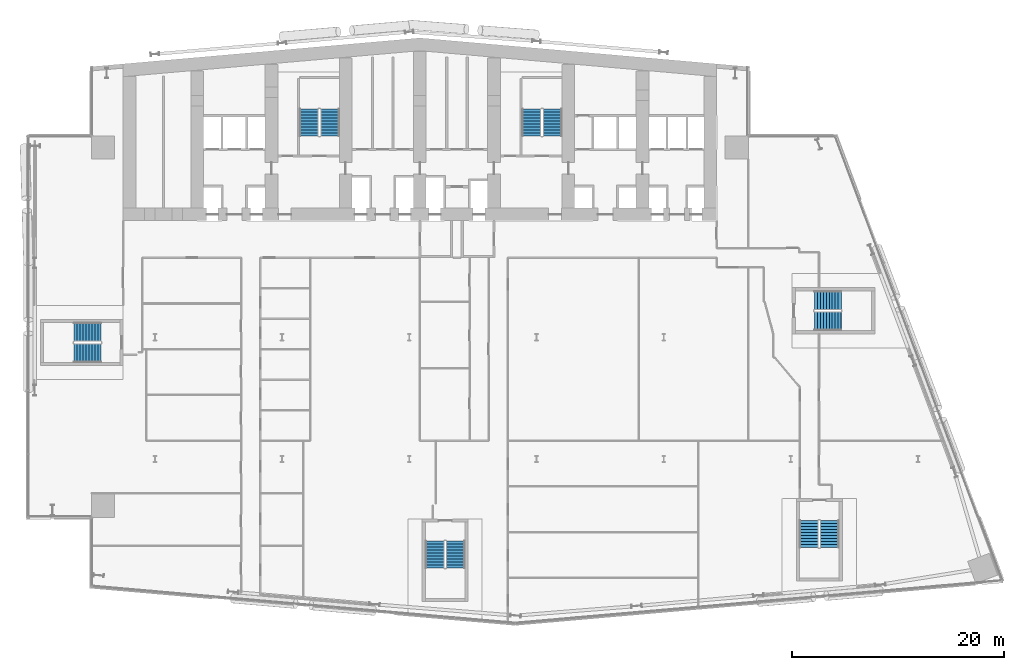
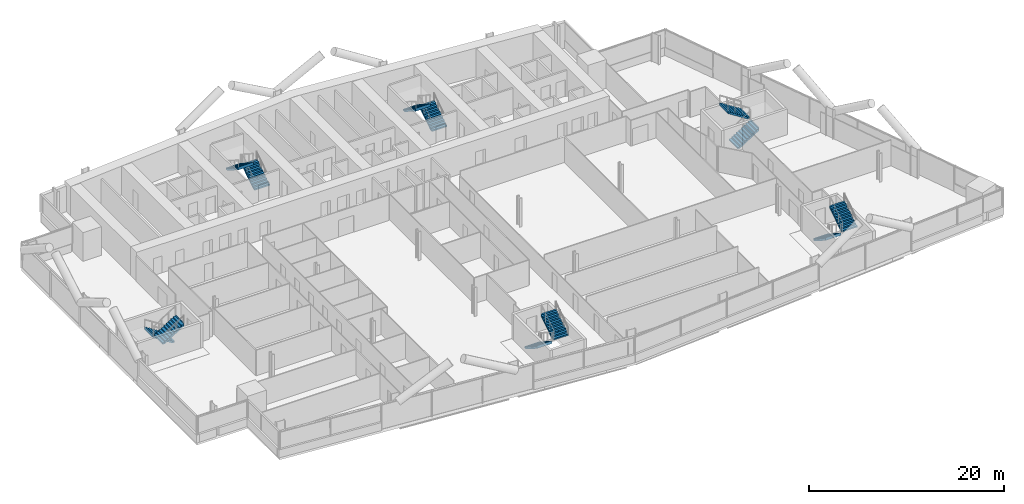
# One storey, part 20 of 27: 12 stair flights, 6 elements without a shape of their own.
"""IFC4 building model written with IfcOpenShell, lengths in metres."""

from ifc_helpers import new_model, si_unit, direction, frame, origin, place, context, subcontext, project, spatial, polyline, outline, extrude, material, type_object, element, aggregate, save


model = new_model("IFC4")

# Units and contexts
model_context = context("Model", 3, precision=1e-05, world=origin(), true_north=direction((0.0, 1.0)))
body_context = subcontext(model_context, "Body", "Model", "MODEL_VIEW")
ifc_project = project(units=[si_unit("LENGTHUNIT", "METRE"), si_unit("AREAUNIT", "SQUARE_METRE"), si_unit("VOLUMEUNIT", "CUBIC_METRE"), si_unit("PLANEANGLEUNIT", "RADIAN"), si_unit("MASSUNIT", "GRAM", prefix="KILO")], contexts=[model_context])

# Site, building, storey
site_placement = place(None, origin())
site = spatial("IfcSite", under=ifc_project, at=site_placement, CompositionType="ELEMENT")
building_placement = place(site_placement, origin())
building = spatial("IfcBuilding", under=site, at=building_placement, Name="Wharfspan Tower", CompositionType="ELEMENT")
storey_placement = place(building_placement, frame((0.0, 0.0, 73.899902)))
storey = spatial("IfcBuildingStorey", under=building, at=storey_placement, Name="L15", CompositionType="ELEMENT", Elevation=73.899902)

# Stair, stair flights
ifc_material = material(Name="Concrete C40/50", Category="concrete")
stair_type = type_object("IfcStairType", Name="Half-turn stair 20 risers 180 mm", PredefinedType="HALF_TURN_STAIR", material=ifc_material)
stair_1_placement = place(storey_placement, origin())
stair_1 = element("IfcStair", 1, at=stair_1_placement, inside=storey, type_object=stair_type, Name="L15 stair ST1", PredefinedType="HALF_TURN_STAIR")
stair_flight_type = type_object("IfcStairFlightType", Name="Stair flight 20 risers 180 mm", PredefinedType="STRAIGHT", material=ifc_material)
stair_flight_1_placement = place(storey_placement, frame((28.5, 42.0, 0.0), z_axis=(0.0, 0.0, 1.0), x_axis=(0.0, 1.0, 0.0)))
stair_flight_1 = element("IfcStairFlight", 2, at=stair_flight_1_placement, type_object=stair_flight_type, Name="ST1 flight 1", NumberOfRisers=10, NumberOfTreads=9, PredefinedType="STRAIGHT", RiserHeight=0.18, TreadLength=0.28, context=body_context, shape_type="SweptSolid", body=[
    extrude(outline(polyline([(-0.011963, 0.0), (-0.011963, 0.179932), (0.0, 0.179932), (0.280029, 0.179932), (0.280029, 0.360107), (0.560059, 0.360107), (0.560059, 0.540039), (0.840088, 0.540039), (0.840088, 0.719971), (1.120117, 0.719971), (1.120117, 0.899902), (1.399902, 0.899902), (1.399902, 1.080078), (1.679932, 1.080078), (1.679932, 1.26001), (1.959961, 1.26001), (1.959961, 1.439941), (2.23999, 1.439941), (2.23999, 1.620117), (2.52002, 1.620117), (2.531982, 1.800049), (2.531982, 1.441895), (0.2771, 0.0), (-0.011963, 0.0)])), frame((0.0, 0.899902, 0.0), z_axis=(0.0, -1.0, 0.0), x_axis=(1.0, 0.0, 0.0)), (0.0, 0.0, 1.0), 0.899414),
    extrude(outline(polyline([(-0.011963, 0.0), (-0.011963, 0.179932), (0.0, 0.179932), (0.280029, 0.179932), (0.280029, 0.360107), (0.560059, 0.360107), (0.560059, 0.540039), (0.840088, 0.540039), (0.840088, 0.719971), (1.120117, 0.719971), (1.120117, 0.899902), (1.399902, 0.899902), (1.399902, 1.080078), (1.679932, 1.080078), (1.679932, 1.26001), (1.959961, 1.26001), (1.959961, 1.439941), (2.23999, 1.439941), (2.23999, 1.620117), (2.52002, 1.620117), (2.531982, 1.800049), (2.531982, 1.441895), (0.2771, 0.0), (-0.011963, 0.0)])), frame((0.0, -0.000488, 0.0), z_axis=(0.0, -1.0, 0.0), x_axis=(1.0, 0.0, 0.0)), (0.0, 0.0, 1.0), 0.899414),
])
stair_flight_2_placement = place(storey_placement, frame((26.550049, 44.52002, 1.800049), z_axis=(0.0, 0.0, 1.0), x_axis=(0.0, -1.0, 0.0)))
stair_flight_2 = element("IfcStairFlight", 3, at=stair_flight_2_placement, type_object=stair_flight_type, Name="ST1 flight 2", NumberOfRisers=10, NumberOfTreads=9, PredefinedType="STRAIGHT", RiserHeight=0.18, TreadLength=0.28, context=body_context, shape_type="SweptSolid", body=[
    extrude(outline(polyline([(-0.011963, 0.0), (-0.011963, 0.179932), (0.0, 0.179932), (0.280029, 0.179932), (0.280029, 0.360107), (0.560059, 0.360107), (0.560059, 0.540039), (0.840088, 0.540039), (0.840088, 0.719971), (1.120117, 0.719971), (1.120117, 0.899902), (1.399902, 0.899902), (1.399902, 1.080078), (1.679932, 1.080078), (1.679932, 1.26001), (1.959961, 1.26001), (1.959961, 1.439941), (2.23999, 1.439941), (2.23999, 1.620117), (2.52002, 1.620117), (2.531982, 1.800049), (2.531982, 1.441895), (0.2771, 0.0), (-0.011963, 0.0)])), frame((0.0, 0.899902, 0.0), z_axis=(0.0, -1.0, 0.0), x_axis=(1.0, 0.0, 0.0)), (0.0, 0.0, 1.0), 0.899414),
    extrude(outline(polyline([(-0.011963, 0.0), (-0.011963, 0.179932), (0.0, 0.179932), (0.280029, 0.179932), (0.280029, 0.360107), (0.560059, 0.360107), (0.560059, 0.540039), (0.840088, 0.540039), (0.840088, 0.719971), (1.120117, 0.719971), (1.120117, 0.899902), (1.399902, 0.899902), (1.399902, 1.080078), (1.679932, 1.080078), (1.679932, 1.26001), (1.959961, 1.26001), (1.959961, 1.439941), (2.23999, 1.439941), (2.23999, 1.620117), (2.52002, 1.620117), (2.531982, 1.800049), (2.531982, 1.441895), (0.2771, 0.0), (-0.011963, 0.0)])), frame((0.0, -0.000488, 0.0), z_axis=(0.0, -1.0, 0.0), x_axis=(1.0, 0.0, 0.0)), (0.0, 0.0, 1.0), 0.899414),
])
aggregate(stair_1, [stair_flight_1, stair_flight_2])

stair_2_placement = place(storey_placement, origin())
stair_2 = element("IfcStair", 4, at=stair_2_placement, inside=storey, type_object=stair_type, Name="L15 stair ST2", PredefinedType="HALF_TURN_STAIR")
stair_flight_3_placement = place(storey_placement, frame((49.5, 42.0, 0.0), z_axis=(0.0, 0.0, 1.0), x_axis=(0.0, 1.0, 0.0)))
stair_flight_3 = element("IfcStairFlight", 5, at=stair_flight_3_placement, type_object=stair_flight_type, Name="ST2 flight 1", NumberOfRisers=10, NumberOfTreads=9, PredefinedType="STRAIGHT", RiserHeight=0.18, TreadLength=0.28, context=body_context, shape_type="SweptSolid", body=[
    extrude(outline(polyline([(-0.011963, 0.0), (-0.011963, 0.179932), (0.0, 0.179932), (0.280029, 0.179932), (0.280029, 0.360107), (0.560059, 0.360107), (0.560059, 0.540039), (0.840088, 0.540039), (0.840088, 0.719971), (1.120117, 0.719971), (1.120117, 0.899902), (1.399902, 0.899902), (1.399902, 1.080078), (1.679932, 1.080078), (1.679932, 1.26001), (1.959961, 1.26001), (1.959961, 1.439941), (2.23999, 1.439941), (2.23999, 1.620117), (2.52002, 1.620117), (2.531982, 1.800049), (2.531982, 1.441895), (0.2771, 0.0), (-0.011963, 0.0)])), frame((0.0, 0.899902, 0.0), z_axis=(0.0, -1.0, 0.0), x_axis=(1.0, 0.0, 0.0)), (0.0, 0.0, 1.0), 0.899414),
    extrude(outline(polyline([(-0.011963, 0.0), (-0.011963, 0.179932), (0.0, 0.179932), (0.280029, 0.179932), (0.280029, 0.360107), (0.560059, 0.360107), (0.560059, 0.540039), (0.840088, 0.540039), (0.840088, 0.719971), (1.120117, 0.719971), (1.120117, 0.899902), (1.399902, 0.899902), (1.399902, 1.080078), (1.679932, 1.080078), (1.679932, 1.26001), (1.959961, 1.26001), (1.959961, 1.439941), (2.23999, 1.439941), (2.23999, 1.620117), (2.52002, 1.620117), (2.531982, 1.800049), (2.531982, 1.441895), (0.2771, 0.0), (-0.011963, 0.0)])), frame((0.0, -0.000488, 0.0), z_axis=(0.0, -1.0, 0.0), x_axis=(1.0, 0.0, 0.0)), (0.0, 0.0, 1.0), 0.899414),
])
stair_flight_4_placement = place(storey_placement, frame((47.550049, 44.52002, 1.800049), z_axis=(0.0, 0.0, 1.0), x_axis=(0.0, -1.0, 0.0)))
stair_flight_4 = element("IfcStairFlight", 6, at=stair_flight_4_placement, type_object=stair_flight_type, Name="ST2 flight 2", NumberOfRisers=10, NumberOfTreads=9, PredefinedType="STRAIGHT", RiserHeight=0.18, TreadLength=0.28, context=body_context, shape_type="SweptSolid", body=[
    extrude(outline(polyline([(-0.011963, 0.0), (-0.011963, 0.179932), (0.0, 0.179932), (0.280029, 0.179932), (0.280029, 0.360107), (0.560059, 0.360107), (0.560059, 0.540039), (0.840088, 0.540039), (0.840088, 0.719971), (1.120117, 0.719971), (1.120117, 0.899902), (1.399902, 0.899902), (1.399902, 1.080078), (1.679932, 1.080078), (1.679932, 1.26001), (1.959961, 1.26001), (1.959961, 1.439941), (2.23999, 1.439941), (2.23999, 1.620117), (2.52002, 1.620117), (2.531982, 1.800049), (2.531982, 1.441895), (0.2771, 0.0), (-0.011963, 0.0)])), frame((0.0, 0.899902, 0.0), z_axis=(0.0, -1.0, 0.0), x_axis=(1.0, 0.0, 0.0)), (0.0, 0.0, 1.0), 0.899414),
    extrude(outline(polyline([(-0.011963, 0.0), (-0.011963, 0.179932), (0.0, 0.179932), (0.280029, 0.179932), (0.280029, 0.360107), (0.560059, 0.360107), (0.560059, 0.540039), (0.840088, 0.540039), (0.840088, 0.719971), (1.120117, 0.719971), (1.120117, 0.899902), (1.399902, 0.899902), (1.399902, 1.080078), (1.679932, 1.080078), (1.679932, 1.26001), (1.959961, 1.26001), (1.959961, 1.439941), (2.23999, 1.439941), (2.23999, 1.620117), (2.52002, 1.620117), (2.531982, 1.800049), (2.531982, 1.441895), (0.2771, 0.0), (-0.011963, 0.0)])), frame((0.0, -0.000488, 0.0), z_axis=(0.0, -1.0, 0.0), x_axis=(1.0, 0.0, 0.0)), (0.0, 0.0, 1.0), 0.899414),
])
aggregate(stair_2, [stair_flight_3, stair_flight_4])

stair_3_placement = place(storey_placement, origin())
stair_3 = element("IfcStair", 7, at=stair_3_placement, inside=storey, type_object=stair_type, Name="L15 stair ST3", PredefinedType="HALF_TURN_STAIR")
stair_flight_5_placement = place(storey_placement, frame((6.899902, 23.475098, 0.0), z_axis=(0.0, 0.0, 1.0), x_axis=(-1.0, 0.0, 0.0)))
stair_flight_5 = element("IfcStairFlight", 8, at=stair_flight_5_placement, type_object=stair_flight_type, Name="ST3 flight 1", NumberOfRisers=10, NumberOfTreads=9, PredefinedType="STRAIGHT", RiserHeight=0.18, TreadLength=0.28, context=body_context, shape_type="SweptSolid", body=[
    extrude(outline(polyline([(-0.011963, 0.0), (-0.011963, 0.179932), (0.0, 0.179932), (0.280029, 0.179932), (0.280029, 0.360107), (0.560059, 0.360107), (0.560059, 0.540039), (0.840088, 0.540039), (0.840088, 0.719971), (1.120117, 0.719971), (1.120117, 0.899902), (1.399902, 0.899902), (1.399902, 1.080078), (1.679932, 1.080078), (1.679932, 1.26001), (1.959961, 1.26001), (1.959961, 1.439941), (2.23999, 1.439941), (2.23999, 1.620117), (2.52002, 1.620117), (2.531982, 1.800049), (2.531982, 1.441895), (0.2771, 0.0), (-0.011963, 0.0)])), frame((0.0, 0.899902, 0.0), z_axis=(0.0, -1.0, 0.0), x_axis=(1.0, 0.0, 0.0)), (0.0, 0.0, 1.0), 0.899414),
    extrude(outline(polyline([(-0.011963, 0.0), (-0.011963, 0.179932), (0.0, 0.179932), (0.280029, 0.179932), (0.280029, 0.360107), (0.560059, 0.360107), (0.560059, 0.540039), (0.840088, 0.540039), (0.840088, 0.719971), (1.120117, 0.719971), (1.120117, 0.899902), (1.399902, 0.899902), (1.399902, 1.080078), (1.679932, 1.080078), (1.679932, 1.26001), (1.959961, 1.26001), (1.959961, 1.439941), (2.23999, 1.439941), (2.23999, 1.620117), (2.52002, 1.620117), (2.531982, 1.800049), (2.531982, 1.441895), (0.2771, 0.0), (-0.011963, 0.0)])), frame((0.0, -0.000488, 0.0), z_axis=(0.0, -1.0, 0.0), x_axis=(1.0, 0.0, 0.0)), (0.0, 0.0, 1.0), 0.899414),
])
stair_flight_6_placement = place(storey_placement, frame((4.379883, 21.524902, 1.800049), z_axis=(0.0, 0.0, 1.0), x_axis=(1.0, 0.0, 0.0)))
stair_flight_6 = element("IfcStairFlight", 9, at=stair_flight_6_placement, type_object=stair_flight_type, Name="ST3 flight 2", NumberOfRisers=10, NumberOfTreads=9, PredefinedType="STRAIGHT", RiserHeight=0.18, TreadLength=0.28, context=body_context, shape_type="SweptSolid", body=[
    extrude(outline(polyline([(-0.011963, 0.0), (-0.011963, 0.179932), (0.0, 0.179932), (0.280029, 0.179932), (0.280029, 0.360107), (0.560059, 0.360107), (0.560059, 0.540039), (0.840088, 0.540039), (0.840088, 0.719971), (1.120117, 0.719971), (1.120117, 0.899902), (1.399902, 0.899902), (1.399902, 1.080078), (1.679932, 1.080078), (1.679932, 1.26001), (1.959961, 1.26001), (1.959961, 1.439941), (2.23999, 1.439941), (2.23999, 1.620117), (2.52002, 1.620117), (2.531982, 1.800049), (2.531982, 1.441895), (0.2771, 0.0), (-0.011963, 0.0)])), frame((0.0, 0.899902, 0.0), z_axis=(0.0, -1.0, 0.0), x_axis=(1.0, 0.0, 0.0)), (0.0, 0.0, 1.0), 0.899414),
    extrude(outline(polyline([(-0.011963, 0.0), (-0.011963, 0.179932), (0.0, 0.179932), (0.280029, 0.179932), (0.280029, 0.360107), (0.560059, 0.360107), (0.560059, 0.540039), (0.840088, 0.540039), (0.840088, 0.719971), (1.120117, 0.719971), (1.120117, 0.899902), (1.399902, 0.899902), (1.399902, 1.080078), (1.679932, 1.080078), (1.679932, 1.26001), (1.959961, 1.26001), (1.959961, 1.439941), (2.23999, 1.439941), (2.23999, 1.620117), (2.52002, 1.620117), (2.531982, 1.800049), (2.531982, 1.441895), (0.2771, 0.0), (-0.011963, 0.0)])), frame((0.0, -0.000488, 0.0), z_axis=(0.0, -1.0, 0.0), x_axis=(1.0, 0.0, 0.0)), (0.0, 0.0, 1.0), 0.899414),
])
aggregate(stair_3, [stair_flight_5, stair_flight_6])

stair_4_placement = place(storey_placement, origin())
stair_4 = element("IfcStair", 10, at=stair_4_placement, inside=storey, type_object=stair_type, Name="L15 stair ST4", PredefinedType="HALF_TURN_STAIR")
stair_flight_7_placement = place(storey_placement, frame((38.408203, 3.760498, 0.0), z_axis=(0.0, 0.0, 1.0), x_axis=(0.0, -1.0, 0.0)))
stair_flight_7 = element("IfcStairFlight", 11, at=stair_flight_7_placement, type_object=stair_flight_type, Name="ST4 flight 1", NumberOfRisers=10, NumberOfTreads=9, PredefinedType="STRAIGHT", RiserHeight=0.18, TreadLength=0.28, context=body_context, shape_type="SweptSolid", body=[
    extrude(outline(polyline([(-0.011963, 0.0), (-0.011963, 0.179932), (0.0, 0.179932), (0.280029, 0.179932), (0.280029, 0.360107), (0.560059, 0.360107), (0.560059, 0.540039), (0.840088, 0.540039), (0.840088, 0.719971), (1.120117, 0.719971), (1.120117, 0.899902), (1.399902, 0.899902), (1.399902, 1.080078), (1.679932, 1.080078), (1.679932, 1.26001), (1.959961, 1.26001), (1.959961, 1.439941), (2.23999, 1.439941), (2.23999, 1.620117), (2.52002, 1.620117), (2.531982, 1.800049), (2.531982, 1.441895), (0.2771, 0.0), (-0.011963, 0.0)])), frame((0.0, 0.899902, 0.0), z_axis=(0.0, -1.0, 0.0), x_axis=(1.0, 0.0, 0.0)), (0.0, 0.0, 1.0), 0.899414),
    extrude(outline(polyline([(-0.011963, 0.0), (-0.011963, 0.179932), (0.0, 0.179932), (0.280029, 0.179932), (0.280029, 0.360107), (0.560059, 0.360107), (0.560059, 0.540039), (0.840088, 0.540039), (0.840088, 0.719971), (1.120117, 0.719971), (1.120117, 0.899902), (1.399902, 0.899902), (1.399902, 1.080078), (1.679932, 1.080078), (1.679932, 1.26001), (1.959961, 1.26001), (1.959961, 1.439941), (2.23999, 1.439941), (2.23999, 1.620117), (2.52002, 1.620117), (2.531982, 1.800049), (2.531982, 1.441895), (0.2771, 0.0), (-0.011963, 0.0)])), frame((0.0, -0.000488, 0.0), z_axis=(0.0, -1.0, 0.0), x_axis=(1.0, 0.0, 0.0)), (0.0, 0.0, 1.0), 0.899414),
])
stair_flight_8_placement = place(storey_placement, frame((40.358398, 1.240723, 1.800049), z_axis=(0.0, 0.0, 1.0), x_axis=(0.0, 1.0, 0.0)))
stair_flight_8 = element("IfcStairFlight", 12, at=stair_flight_8_placement, type_object=stair_flight_type, Name="ST4 flight 2", NumberOfRisers=10, NumberOfTreads=9, PredefinedType="STRAIGHT", RiserHeight=0.18, TreadLength=0.28, context=body_context, shape_type="SweptSolid", body=[
    extrude(outline(polyline([(-0.011963, 0.0), (-0.011963, 0.179932), (0.0, 0.179932), (0.280029, 0.179932), (0.280029, 0.360107), (0.560059, 0.360107), (0.560059, 0.540039), (0.840088, 0.540039), (0.840088, 0.719971), (1.120117, 0.719971), (1.120117, 0.899902), (1.399902, 0.899902), (1.399902, 1.080078), (1.679932, 1.080078), (1.679932, 1.26001), (1.959961, 1.26001), (1.959961, 1.439941), (2.23999, 1.439941), (2.23999, 1.620117), (2.52002, 1.620117), (2.531982, 1.800049), (2.531982, 1.441895), (0.2771, 0.0), (-0.011963, 0.0)])), frame((0.0, 0.899902, 0.0), z_axis=(0.0, -1.0, 0.0), x_axis=(1.0, 0.0, 0.0)), (0.0, 0.0, 1.0), 0.899414),
    extrude(outline(polyline([(-0.011963, 0.0), (-0.011963, 0.179932), (0.0, 0.179932), (0.280029, 0.179932), (0.280029, 0.360107), (0.560059, 0.360107), (0.560059, 0.540039), (0.840088, 0.540039), (0.840088, 0.719971), (1.120117, 0.719971), (1.120117, 0.899902), (1.399902, 0.899902), (1.399902, 1.080078), (1.679932, 1.080078), (1.679932, 1.26001), (1.959961, 1.26001), (1.959961, 1.439941), (2.23999, 1.439941), (2.23999, 1.620117), (2.52002, 1.620117), (2.531982, 1.800049), (2.531982, 1.441895), (0.2771, 0.0), (-0.011963, 0.0)])), frame((0.0, -0.000488, 0.0), z_axis=(0.0, -1.0, 0.0), x_axis=(1.0, 0.0, 0.0)), (0.0, 0.0, 1.0), 0.899414),
])
aggregate(stair_4, [stair_flight_7, stair_flight_8])

stair_5_placement = place(storey_placement, origin())
stair_5 = element("IfcStair", 13, at=stair_5_placement, inside=storey, type_object=stair_type, Name="L15 stair ST5", PredefinedType="HALF_TURN_STAIR")
stair_flight_9_placement = place(storey_placement, frame((73.717529, 5.691895, 0.0), z_axis=(0.0, 0.0, 1.0), x_axis=(0.0, -1.0, 0.0)))
stair_flight_9 = element("IfcStairFlight", 14, at=stair_flight_9_placement, type_object=stair_flight_type, Name="ST5 flight 1", NumberOfRisers=10, NumberOfTreads=9, PredefinedType="STRAIGHT", RiserHeight=0.18, TreadLength=0.28, context=body_context, shape_type="SweptSolid", body=[
    extrude(outline(polyline([(-0.011963, 0.0), (-0.011963, 0.179932), (0.0, 0.179932), (0.280029, 0.179932), (0.280029, 0.360107), (0.560059, 0.360107), (0.560059, 0.540039), (0.840088, 0.540039), (0.840088, 0.719971), (1.120117, 0.719971), (1.120117, 0.899902), (1.399902, 0.899902), (1.399902, 1.080078), (1.679932, 1.080078), (1.679932, 1.26001), (1.959961, 1.26001), (1.959961, 1.439941), (2.23999, 1.439941), (2.23999, 1.620117), (2.52002, 1.620117), (2.531982, 1.800049), (2.531982, 1.441895), (0.2771, 0.0), (-0.011963, 0.0)])), frame((0.0, 0.899902, 0.0), z_axis=(0.0, -1.0, 0.0), x_axis=(1.0, 0.0, 0.0)), (0.0, 0.0, 1.0), 0.899414),
    extrude(outline(polyline([(-0.011963, 0.0), (-0.011963, 0.179932), (0.0, 0.179932), (0.280029, 0.179932), (0.280029, 0.360107), (0.560059, 0.360107), (0.560059, 0.540039), (0.840088, 0.540039), (0.840088, 0.719971), (1.120117, 0.719971), (1.120117, 0.899902), (1.399902, 0.899902), (1.399902, 1.080078), (1.679932, 1.080078), (1.679932, 1.26001), (1.959961, 1.26001), (1.959961, 1.439941), (2.23999, 1.439941), (2.23999, 1.620117), (2.52002, 1.620117), (2.531982, 1.800049), (2.531982, 1.441895), (0.2771, 0.0), (-0.011963, 0.0)])), frame((0.0, -0.000488, 0.0), z_axis=(0.0, -1.0, 0.0), x_axis=(1.0, 0.0, 0.0)), (0.0, 0.0, 1.0), 0.899414),
])
stair_flight_10_placement = place(storey_placement, frame((75.66748, 3.172119, 1.800049), z_axis=(0.0, 0.0, 1.0), x_axis=(0.0, 1.0, 0.0)))
stair_flight_10 = element("IfcStairFlight", 15, at=stair_flight_10_placement, type_object=stair_flight_type, Name="ST5 flight 2", NumberOfRisers=10, NumberOfTreads=9, PredefinedType="STRAIGHT", RiserHeight=0.18, TreadLength=0.28, context=body_context, shape_type="SweptSolid", body=[
    extrude(outline(polyline([(-0.011963, 0.0), (-0.011963, 0.179932), (0.0, 0.179932), (0.280029, 0.179932), (0.280029, 0.360107), (0.560059, 0.360107), (0.560059, 0.540039), (0.840088, 0.540039), (0.840088, 0.719971), (1.120117, 0.719971), (1.120117, 0.899902), (1.399902, 0.899902), (1.399902, 1.080078), (1.679932, 1.080078), (1.679932, 1.26001), (1.959961, 1.26001), (1.959961, 1.439941), (2.23999, 1.439941), (2.23999, 1.620117), (2.52002, 1.620117), (2.531982, 1.800049), (2.531982, 1.441895), (0.2771, 0.0), (-0.011963, 0.0)])), frame((0.0, 0.899902, 0.0), z_axis=(0.0, -1.0, 0.0), x_axis=(1.0, 0.0, 0.0)), (0.0, 0.0, 1.0), 0.899414),
    extrude(outline(polyline([(-0.011963, 0.0), (-0.011963, 0.179932), (0.0, 0.179932), (0.280029, 0.179932), (0.280029, 0.360107), (0.560059, 0.360107), (0.560059, 0.540039), (0.840088, 0.540039), (0.840088, 0.719971), (1.120117, 0.719971), (1.120117, 0.899902), (1.399902, 0.899902), (1.399902, 1.080078), (1.679932, 1.080078), (1.679932, 1.26001), (1.959961, 1.26001), (1.959961, 1.439941), (2.23999, 1.439941), (2.23999, 1.620117), (2.52002, 1.620117), (2.531982, 1.800049), (2.531982, 1.441895), (0.2771, 0.0), (-0.011963, 0.0)])), frame((0.0, -0.000488, 0.0), z_axis=(0.0, -1.0, 0.0), x_axis=(1.0, 0.0, 0.0)), (0.0, 0.0, 1.0), 0.899414),
])
aggregate(stair_5, [stair_flight_9, stair_flight_10])

stair_6_placement = place(storey_placement, origin())
stair_6 = element("IfcStair", 16, at=stair_6_placement, inside=storey, type_object=stair_type, Name="L15 stair ST6", PredefinedType="HALF_TURN_STAIR")
stair_flight_11_placement = place(storey_placement, frame((74.225098, 24.524902, 0.0), z_axis=(0.0, 0.0, 1.0), x_axis=(1.0, 0.0, 0.0)))
stair_flight_11 = element("IfcStairFlight", 17, at=stair_flight_11_placement, type_object=stair_flight_type, Name="ST6 flight 1", NumberOfRisers=10, NumberOfTreads=9, PredefinedType="STRAIGHT", RiserHeight=0.18, TreadLength=0.28, context=body_context, shape_type="SweptSolid", body=[
    extrude(outline(polyline([(-0.011963, 0.0), (-0.011963, 0.179932), (0.0, 0.179932), (0.280029, 0.179932), (0.280029, 0.360107), (0.560059, 0.360107), (0.560059, 0.540039), (0.840088, 0.540039), (0.840088, 0.719971), (1.120117, 0.719971), (1.120117, 0.899902), (1.399902, 0.899902), (1.399902, 1.080078), (1.679932, 1.080078), (1.679932, 1.26001), (1.959961, 1.26001), (1.959961, 1.439941), (2.23999, 1.439941), (2.23999, 1.620117), (2.52002, 1.620117), (2.531982, 1.800049), (2.531982, 1.441895), (0.2771, 0.0), (-0.011963, 0.0)])), frame((0.0, 0.899902, 0.0), z_axis=(0.0, -1.0, 0.0), x_axis=(1.0, 0.0, 0.0)), (0.0, 0.0, 1.0), 0.899414),
    extrude(outline(polyline([(-0.011963, 0.0), (-0.011963, 0.179932), (0.0, 0.179932), (0.280029, 0.179932), (0.280029, 0.360107), (0.560059, 0.360107), (0.560059, 0.540039), (0.840088, 0.540039), (0.840088, 0.719971), (1.120117, 0.719971), (1.120117, 0.899902), (1.399902, 0.899902), (1.399902, 1.080078), (1.679932, 1.080078), (1.679932, 1.26001), (1.959961, 1.26001), (1.959961, 1.439941), (2.23999, 1.439941), (2.23999, 1.620117), (2.52002, 1.620117), (2.531982, 1.800049), (2.531982, 1.441895), (0.2771, 0.0), (-0.011963, 0.0)])), frame((0.0, -0.000488, 0.0), z_axis=(0.0, -1.0, 0.0), x_axis=(1.0, 0.0, 0.0)), (0.0, 0.0, 1.0), 0.899414),
])
stair_flight_12_placement = place(storey_placement, frame((76.745117, 26.475098, 1.800049), z_axis=(0.0, 0.0, 1.0), x_axis=(-1.0, 0.0, 0.0)))
stair_flight_12 = element("IfcStairFlight", 18, at=stair_flight_12_placement, type_object=stair_flight_type, Name="ST6 flight 2", NumberOfRisers=10, NumberOfTreads=9, PredefinedType="STRAIGHT", RiserHeight=0.18, TreadLength=0.28, context=body_context, shape_type="SweptSolid", body=[
    extrude(outline(polyline([(-0.011963, 0.0), (-0.011963, 0.179932), (0.0, 0.179932), (0.280029, 0.179932), (0.280029, 0.360107), (0.560059, 0.360107), (0.560059, 0.540039), (0.840088, 0.540039), (0.840088, 0.719971), (1.120117, 0.719971), (1.120117, 0.899902), (1.399902, 0.899902), (1.399902, 1.080078), (1.679932, 1.080078), (1.679932, 1.26001), (1.959961, 1.26001), (1.959961, 1.439941), (2.23999, 1.439941), (2.23999, 1.620117), (2.52002, 1.620117), (2.531982, 1.800049), (2.531982, 1.441895), (0.2771, 0.0), (-0.011963, 0.0)])), frame((0.0, 0.899902, 0.0), z_axis=(0.0, -1.0, 0.0), x_axis=(1.0, 0.0, 0.0)), (0.0, 0.0, 1.0), 0.899414),
    extrude(outline(polyline([(-0.011963, 0.0), (-0.011963, 0.179932), (0.0, 0.179932), (0.280029, 0.179932), (0.280029, 0.360107), (0.560059, 0.360107), (0.560059, 0.540039), (0.840088, 0.540039), (0.840088, 0.719971), (1.120117, 0.719971), (1.120117, 0.899902), (1.399902, 0.899902), (1.399902, 1.080078), (1.679932, 1.080078), (1.679932, 1.26001), (1.959961, 1.26001), (1.959961, 1.439941), (2.23999, 1.439941), (2.23999, 1.620117), (2.52002, 1.620117), (2.531982, 1.800049), (2.531982, 1.441895), (0.2771, 0.0), (-0.011963, 0.0)])), frame((0.0, -0.000488, 0.0), z_axis=(0.0, -1.0, 0.0), x_axis=(1.0, 0.0, 0.0)), (0.0, 0.0, 1.0), 0.899414),
])
aggregate(stair_6, [stair_flight_11, stair_flight_12])

save(model, "model.ifc")
